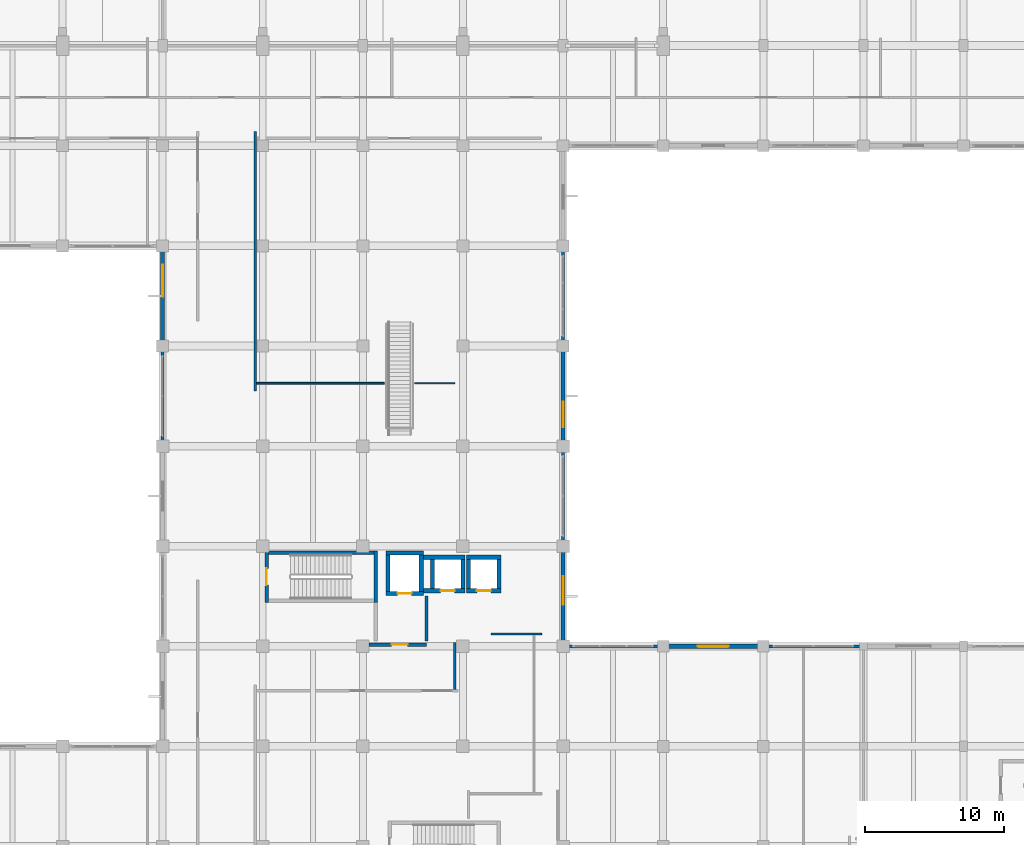
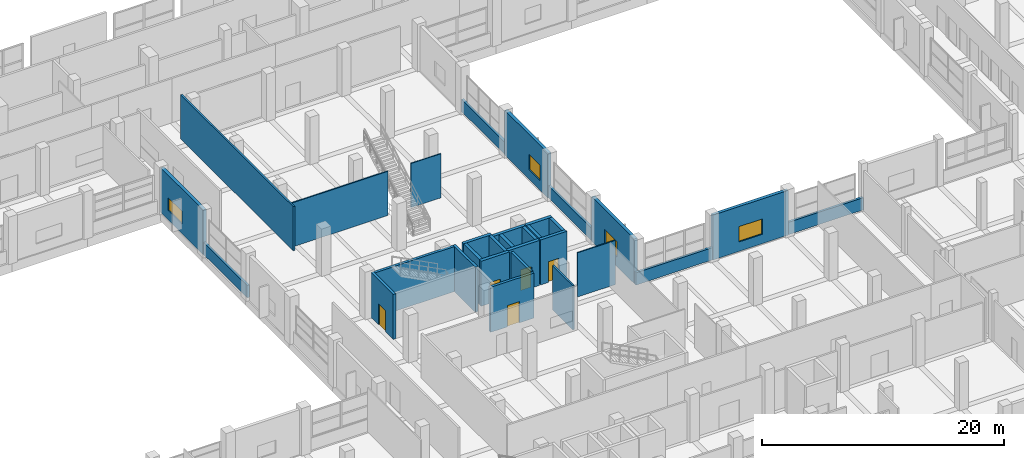
# One storey, part 160 of 181: 31 walls, 5 doors, 4 windows, 9 openings.
"""IFC4 building model written with IfcOpenShell, lengths in metres."""

import ifcopenshell
import ifcopenshell.guid

model = None  # the IFC model being written
_history = None  # IfcOwnerHistory: only IFC2X3 demands one
_inside = {}  # id of a spatial element -> (the spatial element, [elements in it])
_under = {}  # id of a project, library or spatial element -> (it, [spatial elements below it])
_declared = {}  # id of a project -> (the project, [libraries it declares])
_typed = {}  # id of a type object -> (the type object, [elements of that type])
_made_of = {}  # id of a material, layer set ... -> (it, [elements and type objects made of it])


def new_model(schema):
    """Start an empty IFC model of exactly this schema.

    Asked for "IFC4X3", IfcOpenShell would pick the latest addendum, in which some entities
    have other attributes; the version numbers below select the first issue.
    IFC2X3 requires an IfcOwnerHistory on every rooted entity: one is made here for all.
    """
    global model, _history
    if schema == "IFC4X3":
        model = ifcopenshell.file(schema_version=(4, 3, 0, 0))
    else:
        model = ifcopenshell.file(schema=schema)
    _inside.clear()
    _under.clear()
    _declared.clear()
    _typed.clear()
    _made_of.clear()
    _history = None
    if model.schema == "IFC2X3":
        org = make("IfcOrganization", Name="unknown")
        user = make(
            "IfcPersonAndOrganization",
            ThePerson=make("IfcPerson", FamilyName="unknown"),
            TheOrganization=org,
        )
        app = make(
            "IfcApplication",
            ApplicationDeveloper=org,
            Version="unknown",
            ApplicationFullName="unknown",
            ApplicationIdentifier="unknown",
        )
        _history = make(
            "IfcOwnerHistory",
            OwningUser=user,
            OwningApplication=app,
            ChangeAction="ADDED",
            CreationDate=0,
        )
    return model


def make(cls, **values):
    """One entity of the class cls with the attributes given. An attribute that is None is left unset."""
    return model.create_entity(
        cls, **{name: value for name, value in values.items() if value is not None}
    )


def rooted(cls, **values):
    """An entity with a GlobalId (a new one), such as an element, a storey or a relation."""
    return make(cls, GlobalId=ifcopenshell.guid.new(), OwnerHistory=_history, **values)


def si_unit(unit_type, name, prefix=None):
    """IfcSIUnit, for example si_unit("LENGTHUNIT", "METRE", prefix="MILLI")."""
    return make("IfcSIUnit", UnitType=unit_type, Prefix=prefix, Name=name)


def assignment(units):
    """IfcUnitAssignment: the units of a project."""
    return None if units is None else make("IfcUnitAssignment", Units=units)


def point(xyz):
    """IfcCartesianPoint."""
    return None if xyz is None else make("IfcCartesianPoint", Coordinates=xyz)


def direction(xyz):
    """IfcDirection."""
    return None if xyz is None else make("IfcDirection", DirectionRatios=xyz)


def frame(location, z_axis=None, x_axis=None):
    """IfcAxis2Placement3D, a coordinate frame: its origin and axes. An axis left out is left unset."""
    return make(
        "IfcAxis2Placement3D",
        Location=point(location),
        Axis=direction(z_axis),
        RefDirection=direction(x_axis),
    )


def frame_2d(location, x_axis=None):
    """IfcAxis2Placement2D, a coordinate frame in the plane: its origin and x axis."""
    return make(
        "IfcAxis2Placement2D", Location=point(location), RefDirection=direction(x_axis)
    )


def origin():
    """The frame at (0, 0, 0) with its axes left unset."""
    return frame((0.0, 0.0, 0.0))


def place(relative_to, where):
    """IfcLocalPlacement: puts the frame where relative to a parent placement (None: the world)."""
    return make(
        "IfcLocalPlacement", PlacementRelTo=relative_to, RelativePlacement=where
    )


def context(
    kind, dimensions, precision=None, world=None, true_north=None, identifier=None
):
    """IfcGeometricRepresentationContext, for example the 3D "Model" context."""
    return make(
        "IfcGeometricRepresentationContext",
        ContextIdentifier=identifier,
        ContextType=kind,
        CoordinateSpaceDimension=dimensions,
        Precision=precision,
        WorldCoordinateSystem=world,
        TrueNorth=true_north,
    )


def subcontext(parent, identifier, kind, view, scale=None):
    """IfcGeometricRepresentationSubContext, for example "Body" below "Model"."""
    return make(
        "IfcGeometricRepresentationSubContext",
        ContextIdentifier=identifier,
        ContextType=kind,
        ParentContext=parent,
        TargetScale=scale,
        TargetView=view,
    )


def project(units=None, contexts=None):
    """IfcProject with its units and contexts."""
    return rooted(
        "IfcProject",
        Name="project",
        RepresentationContexts=contexts,
        UnitsInContext=assignment(units),
    )


def spatial(cls, under=None, at=None, **own):
    """A site, building, storey or space (cls), placed at a placement, below another one or the project."""
    s = rooted(cls, ObjectPlacement=at, **own)
    if under is not None:
        _under.setdefault(under.id(), (under, []))[1].append(s)
    return s


def profile(cls, at=None, kind="AREA", **sizes):
    """A parametric profile (cls). Its sizes go by their IFC names, for example OverallWidth=200.0."""
    return make(cls, ProfileType=kind, Position=at, **sizes)


def rectangle(**sizes):
    """IfcRectangleProfileDef."""
    return profile("IfcRectangleProfileDef", **sizes)


def extrude(swept, where, along, depth):
    """IfcExtrudedAreaSolid: the profile swept, set in the frame where, extruded along a direction by depth."""
    return make(
        "IfcExtrudedAreaSolid",
        SweptArea=swept,
        Position=where,
        ExtrudedDirection=direction(along),
        Depth=depth,
    )


def shape(context_of_items, identifier, shape_type, items):
    """IfcShapeRepresentation: the items that make up one representation, for example the "Body"."""
    return make(
        "IfcShapeRepresentation",
        ContextOfItems=context_of_items,
        RepresentationIdentifier=identifier,
        RepresentationType=shape_type,
        Items=items,
    )


def material(Name=None, Category=None):
    """IfcMaterial."""
    return make("IfcMaterial", Name=Name, Category=Category)


def layer(
    of_material, thickness, ventilated=None, Name=None, Category=None, Priority=None
):
    """IfcMaterialLayer: one layer of a wall or slab, of a material (None: an air gap)."""
    return make(
        "IfcMaterialLayer",
        Material=of_material,
        LayerThickness=thickness,
        IsVentilated=ventilated,
        Name=Name,
        Category=Category,
        Priority=Priority,
    )


def layer_set(layers, Name=None):
    """IfcMaterialLayerSet."""
    return make("IfcMaterialLayerSet", MaterialLayers=layers, LayerSetName=Name)


def made_of(thing, what):
    """Note that an element or type object is made of a material, layer set ...; save() writes the relation."""
    if what is not None:
        _made_of.setdefault(what.id(), (what, []))[1].append(thing)
    return thing


def type_object(cls, material=None, **own):
    """A type object (cls), such as IfcWallType, which elements share."""
    return made_of(rooted(cls, **own), material)


def element(
    cls,
    number,
    at=None,
    inside=None,
    cuts=None,
    type_object=None,
    material=None,
    context=None,
    identifier="Body",
    shape_type=None,
    held_by="IfcProductDefinitionShape",
    body=None,
    shapes=None,
    **own,
):
    """One element of the class cls, such as IfcWall. Its Tag is "e" and its number.

    at: its placement. inside: the storey or other place that contains it. cuts: it is an
    opening in that element (IfcRelVoidsElement). A single representation is given by context,
    identifier, shape_type and body (its items); several are given by shapes. held_by: the class
    of the entity that holds the representations. save() writes the other relations.
    """
    e = rooted(cls, Tag="e%d" % number, ObjectPlacement=at, **own)
    if body is not None:
        shapes = [shape(context, identifier, shape_type, body)]
    if shapes is not None:
        e.Representation = make(held_by, Representations=shapes)
    if inside is not None:
        _inside.setdefault(inside.id(), (inside, []))[1].append(e)
    if cuts is not None:
        rooted(
            "IfcRelVoidsElement", RelatingBuildingElement=cuts, RelatedOpeningElement=e
        )
    if type_object is not None:
        _typed.setdefault(type_object.id(), (type_object, []))[1].append(e)
    return made_of(e, material)


def fill(opening, filler):
    """IfcRelFillsElement: the door or window that sits in an opening."""
    return rooted(
        "IfcRelFillsElement",
        RelatingOpeningElement=opening,
        RelatedBuildingElement=filler,
    )


def aggregate(whole, parts):
    """IfcRelAggregates: a whole, such as a stair, and the parts it consists of."""
    return rooted("IfcRelAggregates", RelatingObject=whole, RelatedObjects=parts)


def save(model, path):
    """Write the relations noted so far, then the file.

    IfcRelAggregates (storeys below a building ...), IfcRelContainedInSpatialStructure (elements
    in a storey), IfcRelDefinesByType, IfcRelAssociatesMaterial and IfcRelDeclares: one each for
    every whole, place, type object, material and project.
    """
    for whole, parts in _under.values():
        aggregate(whole, parts)
    for where, things in _inside.values():
        rooted(
            "IfcRelContainedInSpatialStructure",
            RelatedElements=things,
            RelatingStructure=where,
        )
    for kind, things in _typed.values():
        rooted("IfcRelDefinesByType", RelatedObjects=things, RelatingType=kind)
    for what, things in _made_of.values():
        rooted("IfcRelAssociatesMaterial", RelatedObjects=things, RelatingMaterial=what)
    for by, libraries in _declared.values():
        rooted("IfcRelDeclares", RelatingContext=by, RelatedDefinitions=libraries)
    model.write(path)


model = new_model("IFC4")

# Units and contexts
model_context = context("Model", 3, precision=1e-05, world=origin(), true_north=direction((0.0, 1.0)))
body_context = subcontext(model_context, "Body", "Model", "MODEL_VIEW")
ifc_project = project(units=[si_unit("LENGTHUNIT", "METRE"), si_unit("AREAUNIT", "SQUARE_METRE"), si_unit("VOLUMEUNIT", "CUBIC_METRE"), si_unit("PLANEANGLEUNIT", "RADIAN"), si_unit("MASSUNIT", "GRAM", prefix="KILO")], contexts=[model_context])

# Site, building, storey
site_placement = place(None, origin())
site = spatial("IfcSite", under=ifc_project, at=site_placement, CompositionType="ELEMENT")
building_placement = place(site_placement, origin())
building = spatial("IfcBuilding", under=site, at=building_placement, Name="Seraya Terrace Polytechnic", CompositionType="ELEMENT")
storey_placement = place(building_placement, frame((0.0, 0.0, 4.800048828125)))
storey = spatial("IfcBuildingStorey", under=building, at=storey_placement, Name="L01", CompositionType="ELEMENT", Elevation=4.800048828125)

# Wall, opening, window
ifc_material_1 = material(Name="Concrete C40/50", Category="concrete")
ifc_layer_1 = layer(ifc_material_1, 0.300048828125, Name="EW-01")
ifc_layer_set_1 = layer_set([ifc_layer_1], Name="Concrete C40/50")
wall_type_1 = type_object("IfcWallType", Name="EW-01", PredefinedType="SOLIDWALL", material=ifc_layer_set_1)
wall_1_placement = place(storey_placement, frame((79.199951171875, 57.60009765625, 0.0), z_axis=(0.0, 0.0, 1.0), x_axis=(0.0, 1.0, 0.0)))
wall_1 = element("IfcWall", 1, at=wall_1_placement, inside=storey, type_object=wall_type_1, Name="Exterior structural wall EW-01 L01", PredefinedType="SOLIDWALL", context=body_context, shape_type="SweptSolid", body=[
    extrude(rectangle(XDim=7.0478515625, YDim=0.300048828125, at=frame_2d((3.52392578125, 0.0))), origin(), (0.0, 0.0, 1.0), 4.52001953125),
])
opening_1_placement = place(wall_1_placement, frame((3.54150390625, 0.0, 0.949951171875)))
opening_1 = element("IfcOpeningElement", 2, at=opening_1_placement, cuts=wall_1, Name="Opening WN-09", PredefinedType="OPENING", context=body_context, shape_type="SweptSolid", body=[
    extrude(rectangle(XDim=2.300048828125, YDim=1.300048828125, at=frame_2d((1.14990234375, 0.64990234375))), frame((0.0, 0.162109375, 0.0), z_axis=(0.0, -1.0, 0.0), x_axis=(1.0, 0.0, 0.0)), (0.0, 0.0, 1.0), 0.323974609375),
])
ifc_material_2 = material(Name="Laminated solar-control Low-E double glazing", Category="glass")
window_type_1 = type_object("IfcWindowType", Name="WN-09", PartitioningType="SINGLE_PANEL", PredefinedType="WINDOW", material=ifc_material_2)
window_1_placement = place(opening_1_placement, origin())
window_1 = element("IfcWindow", 3, at=window_1_placement, inside=storey, type_object=window_type_1, Name="Exterior window WN-09 L01", OverallHeight=1.300048828125, OverallWidth=2.300048828125, PartitioningType="SINGLE_PANEL", PredefinedType="WINDOW", context=body_context, shape_type="SweptSolid", body=[
    extrude(rectangle(XDim=2.300048828125, YDim=1.300048828125, at=frame_2d((1.14990234375, 0.64990234375))), frame((0.0, 0.030029296875, 0.0), z_axis=(0.0, -1.0, 0.0), x_axis=(1.0, 0.0, 0.0)), (0.0, 0.0, 1.0), 0.06005859375),
])
fill(opening_1, window_1)

wall_2_placement = place(storey_placement, frame((108.0, 57.60009765625, 0.0), z_axis=(0.0, 0.0, 1.0), x_axis=(0.0, -1.0, 0.0)))
wall_2 = element("IfcWall", 4, at=wall_2_placement, inside=storey, type_object=wall_type_1, Name="Exterior structural wall EW-01 L01", PredefinedType="SOLIDWALL", context=body_context, shape_type="SweptSolid", body=[
    extrude(rectangle(XDim=7.2001953125, YDim=0.300048828125, at=frame_2d((3.60009765625, 0.0))), origin(), (0.0, 0.0, 1.0), 4.52001953125),
])
opening_2_placement = place(wall_2_placement, frame((4.0048828125, 0.0, 0.949951171875)))
opening_2 = element("IfcOpeningElement", 5, at=opening_2_placement, cuts=wall_2, Name="Opening WN-18", PredefinedType="OPENING", context=body_context, shape_type="SweptSolid", body=[
    extrude(rectangle(XDim=1.85009765625, YDim=1.550048828125, at=frame_2d((0.925048828125, 0.77490234375))), frame((0.0, 0.162109375, 0.0), z_axis=(0.0, -1.0, 0.0), x_axis=(1.0, 0.0, 0.0)), (0.0, 0.0, 1.0), 0.323974609375),
])
window_type_2 = type_object("IfcWindowType", Name="WN-18", PartitioningType="SINGLE_PANEL", PredefinedType="WINDOW", material=ifc_material_2)
window_2_placement = place(opening_2_placement, origin())
window_2 = element("IfcWindow", 6, at=window_2_placement, inside=storey, type_object=window_type_2, Name="Exterior window WN-18 L01", OverallHeight=1.550048828125, OverallWidth=1.85009765625, PartitioningType="SINGLE_PANEL", PredefinedType="WINDOW", context=body_context, shape_type="SweptSolid", body=[
    extrude(rectangle(XDim=1.85009765625, YDim=1.550048828125, at=frame_2d((0.925048828125, 0.77490234375))), frame((0.0, 0.030029296875, 0.0), z_axis=(0.0, -1.0, 0.0), x_axis=(1.0, 0.0, 0.0)), (0.0, 0.0, 1.0), 0.06005859375),
])
fill(opening_2, window_2)

wall_3_placement = place(storey_placement, frame((108.0, 43.199951171875, 0.0), z_axis=(0.0, 0.0, 1.0), x_axis=(0.0, -1.0, 0.0)))
wall_3 = element("IfcWall", 7, at=wall_3_placement, inside=storey, type_object=wall_type_1, Name="Exterior structural wall EW-01 L01", PredefinedType="SOLIDWALL", context=body_context, shape_type="SweptSolid", body=[
    extrude(rectangle(XDim=7.0478515625, YDim=0.300048828125, at=frame_2d((3.52392578125, 0.0))), origin(), (0.0, 0.0, 1.0), 4.52001953125),
])
opening_3_placement = place(wall_3_placement, frame((2.14501953125, 0.0, 0.949951171875)))
opening_3 = element("IfcOpeningElement", 8, at=opening_3_placement, cuts=wall_3, Name="Opening WN-19", PredefinedType="OPENING", context=body_context, shape_type="SweptSolid", body=[
    extrude(rectangle(XDim=2.050048828125, YDim=1.550048828125, at=frame_2d((1.02490234375, 0.77490234375))), frame((0.0, 0.162109375, 0.0), z_axis=(0.0, -1.0, 0.0), x_axis=(1.0, 0.0, 0.0)), (0.0, 0.0, 1.0), 0.323974609375),
])
window_type_3 = type_object("IfcWindowType", Name="WN-19", PartitioningType="SINGLE_PANEL", PredefinedType="WINDOW", material=ifc_material_2)
window_3_placement = place(opening_3_placement, origin())
window_3 = element("IfcWindow", 9, at=window_3_placement, inside=storey, type_object=window_type_3, Name="Exterior window WN-19 L01", OverallHeight=1.550048828125, OverallWidth=2.050048828125, PartitioningType="SINGLE_PANEL", PredefinedType="WINDOW", context=body_context, shape_type="SweptSolid", body=[
    extrude(rectangle(XDim=2.050048828125, YDim=1.550048828125, at=frame_2d((1.02490234375, 0.77490234375))), frame((0.0, 0.030029296875, 0.0), z_axis=(0.0, -1.0, 0.0), x_axis=(1.0, 0.0, 0.0)), (0.0, 0.0, 1.0), 0.06005859375),
])
fill(opening_3, window_3)

wall_4_placement = place(storey_placement, frame((115.199951171875, 36.0, 0.0), z_axis=(0.0, 0.0, 1.0), x_axis=(1.0, 0.0, 0.0)))
wall_4 = element("IfcWall", 10, at=wall_4_placement, inside=storey, type_object=wall_type_1, Name="Exterior structural wall EW-01 L01", PredefinedType="SOLIDWALL", context=body_context, shape_type="SweptSolid", body=[
    extrude(rectangle(XDim=7.199951171875, YDim=0.300048828125, at=frame_2d((3.60009765625, 0.0))), origin(), (0.0, 0.0, 1.0), 4.52001953125),
])
opening_4_placement = place(wall_4_placement, frame((2.47509765625, 0.0, 0.949951171875)))
opening_4 = element("IfcOpeningElement", 11, at=opening_4_placement, cuts=wall_4, Name="Opening WN-20", PredefinedType="OPENING", context=body_context, shape_type="SweptSolid", body=[
    extrude(rectangle(XDim=2.25, YDim=1.550048828125, at=frame_2d((1.125, 0.77490234375))), frame((0.0, 0.162109375, 0.0), z_axis=(0.0, -1.0, 0.0), x_axis=(1.0, 0.0, 0.0)), (0.0, 0.0, 1.0), 0.323974609375),
])
window_type_4 = type_object("IfcWindowType", Name="WN-20", PartitioningType="SINGLE_PANEL", PredefinedType="WINDOW", material=ifc_material_2)
window_4_placement = place(opening_4_placement, origin())
window_4 = element("IfcWindow", 12, at=window_4_placement, inside=storey, type_object=window_type_4, Name="Exterior window WN-20 L01", OverallHeight=1.550048828125, OverallWidth=2.25, PartitioningType="SINGLE_PANEL", PredefinedType="WINDOW", context=body_context, shape_type="SweptSolid", body=[
    extrude(rectangle(XDim=2.25, YDim=1.550048828125, at=frame_2d((1.125, 0.77490234375))), frame((0.0, 0.030029296875, 0.0), z_axis=(0.0, -1.0, 0.0), x_axis=(1.0, 0.0, 0.0)), (0.0, 0.0, 1.0), 0.06005859375),
])
fill(opening_4, window_4)

# Walls
ifc_material_3 = material(Name="Precast concrete C40/50", Category="concrete")
ifc_layer_2 = layer(ifc_material_3, 0.219970703125, Name="EW-05")
ifc_layer_set_2 = layer_set([ifc_layer_2], Name="Precast concrete C40/50")
wall_type_2 = type_object("IfcWallType", Name="EW-05", PredefinedType="SOLIDWALL", material=ifc_layer_set_2)
wall_5_placement = place(storey_placement, frame((79.199951171875, 50.39990234375, 0.0), z_axis=(0.0, 0.0, 1.0), x_axis=(0.0, 1.0, 0.0)))
element("IfcWall", 13, at=wall_5_placement, inside=storey, type_object=wall_type_2, Name="Precast spandrel wall L01", PredefinedType="SOLIDWALL", context=body_context, shape_type="SweptSolid", body=[
    extrude(rectangle(XDim=7.2001953125, YDim=0.219970703125, at=frame_2d((3.60009765625, 0.0))), origin(), (0.0, 0.0, 1.0), 1.239990234375),
])
for number, where, z_axis, x_axis, name in (
    (14, (108.0, 64.800048828125, 0.0), (0.0, 0.0, 1.0), (0.0, -1.0, 0.0), "Precast spandrel wall L01"),
    (15, (108.0, 50.39990234375, 0.0), (0.0, 0.0, 1.0), (0.0, -1.0, 0.0), "Precast spandrel wall L01"),
):
    element("IfcWall", number, at=place(storey_placement, frame(where, z_axis=z_axis, x_axis=x_axis)), inside=storey, type_object=wall_type_2, Name=name, PredefinedType="SOLIDWALL", context=body_context, shape_type="SweptSolid", body=[
        extrude(rectangle(XDim=7.199951171875, YDim=0.219970703125, at=frame_2d((3.60009765625, 0.0))), origin(), (0.0, 0.0, 1.0), 1.239990234375),
    ])
wall_6_placement = place(storey_placement, frame((107.85009765625, 36.0, 0.0), z_axis=(0.0, 0.0, 1.0), x_axis=(1.0, 0.0, 0.0)))
element("IfcWall", 16, at=wall_6_placement, inside=storey, type_object=wall_type_2, Name="Precast spandrel wall L01", PredefinedType="SOLIDWALL", context=body_context, shape_type="SweptSolid", body=[
    extrude(rectangle(XDim=7.349853515625, YDim=0.219970703125, at=frame_2d((3.6748046875, 0.0))), origin(), (0.0, 0.0, 1.0), 1.239990234375),
])
wall_7_placement = place(storey_placement, frame((122.39990234375, 36.0, 0.0), z_axis=(0.0, 0.0, 1.0), x_axis=(1.0, 0.0, 0.0)))
element("IfcWall", 17, at=wall_7_placement, inside=storey, type_object=wall_type_2, Name="Precast spandrel wall L01", PredefinedType="SOLIDWALL", context=body_context, shape_type="SweptSolid", body=[
    extrude(rectangle(XDim=7.2001953125, YDim=0.219970703125, at=frame_2d((3.60009765625, 0.0))), origin(), (0.0, 0.0, 1.0), 1.239990234375),
])
ifc_material_4 = material(Name="Autoclaved aerated concrete blockwork", Category="masonry")
ifc_layer_3 = layer(ifc_material_4, 0.169921875, Name="PT-02")
ifc_layer_set_3 = layer_set([ifc_layer_3], Name="Autoclaved aerated concrete blockwork")
wall_type_3 = type_object("IfcWallType", Name="PT-02", PredefinedType="PARTITIONING", material=ifc_layer_set_3)
wall_8_placement = place(storey_placement, frame((85.8701171875, 54.360107421875, 0.0), z_axis=(0.0, 0.0, 1.0), x_axis=(0.0, 1.0, 0.0)))
element("IfcWall", 18, at=wall_8_placement, inside=storey, type_object=wall_type_3, Name="Internal partition PT-02 L01", PredefinedType="PARTITIONING", context=body_context, shape_type="SweptSolid", body=[
    extrude(rectangle(XDim=18.659912109375, YDim=0.169921875, at=frame_2d((9.330078125, 0.0))), origin(), (0.0, 0.0, 1.0), 4.4599609375),
])
wall_9_placement = place(storey_placement, frame((100.199951171875, 32.89990234375, 0.0), z_axis=(0.0, 0.0, 1.0), x_axis=(0.0, 1.0, 0.0)))
element("IfcWall", 19, at=wall_9_placement, inside=storey, type_object=wall_type_3, Name="Internal partition PT-02 L01", PredefinedType="PARTITIONING", context=body_context, shape_type="SweptSolid", body=[
    extrude(rectangle(XDim=3.39013671875, YDim=0.169921875, at=frame_2d((1.695068359375, 0.0))), origin(), (0.0, 0.0, 1.0), 4.4599609375),
])
ifc_layer_4 = layer(ifc_material_4, 0.1201171875, Name="PT-05")
ifc_layer_set_4 = layer_set([ifc_layer_4], Name="Autoclaved aerated concrete blockwork")
wall_type_4 = type_object("IfcWallType", Name="PT-05", PredefinedType="PARTITIONING", material=ifc_layer_set_4)
wall_10_placement = place(storey_placement, frame((102.830078125, 36.8798828125, 0.0), z_axis=(0.0, 0.0, 1.0), x_axis=(1.0, 0.0, 0.0)))
element("IfcWall", 20, at=wall_10_placement, inside=storey, type_object=wall_type_4, Name="Internal partition PT-05 L01", PredefinedType="PARTITIONING", context=body_context, shape_type="SweptSolid", body=[
    extrude(rectangle(XDim=3.634033203125, YDim=0.1201171875, at=frame_2d((1.81689453125, 0.0))), origin(), (0.0, 0.0, 1.0), 4.4599609375),
])
wall_11_placement = place(storey_placement, frame((85.969970703125, 54.919921875, 0.0), z_axis=(0.0, 0.0, 1.0), x_axis=(1.0, 0.0, 0.0)))
element("IfcWall", 21, at=wall_11_placement, inside=storey, type_object=wall_type_4, Name="Internal partition PT-05 L01", PredefinedType="PARTITIONING", context=body_context, shape_type="SweptSolid", body=[
    extrude(rectangle(XDim=9.179931640625, YDim=0.1201171875, at=frame_2d((4.58984375, 0.0))), origin(), (0.0, 0.0, 1.0), 4.4599609375),
])
ifc_layer_5 = layer(ifc_material_4, 0.10009765625, Name="PT-06")
ifc_layer_set_5 = layer_set([ifc_layer_5], Name="Autoclaved aerated concrete blockwork")
wall_type_5 = type_object("IfcWallType", Name="PT-06", PredefinedType="PARTITIONING", material=ifc_layer_set_5)
wall_12_placement = place(storey_placement, frame((97.330078125, 54.919921875, 0.0), z_axis=(0.0, 0.0, 1.0), x_axis=(1.0, 0.0, 0.0)))
element("IfcWall", 22, at=wall_12_placement, inside=storey, type_object=wall_type_5, Name="Internal partition PT-06 L01", PredefinedType="PARTITIONING", context=body_context, shape_type="SweptSolid", body=[
    extrude(rectangle(XDim=2.869873046875, YDim=0.10009765625, at=frame_2d((1.43505859375, 0.0))), origin(), (0.0, 0.0, 1.0), 4.4599609375),
])

# Wall, opening, door
ifc_layer_6 = layer(ifc_material_1, 0.300048828125, Name="SW-01")
ifc_layer_set_6 = layer_set([ifc_layer_6], Name="Concrete C40/50")
wall_type_6 = type_object("IfcWallType", Name="SW-01", PredefinedType="SHEAR", material=ifc_layer_set_6)
wall_13_placement = place(storey_placement, frame((95.25, 39.800048828125, 0.0), z_axis=(0.0, 0.0, 1.0), x_axis=(1.0, 0.0, 0.0)))
wall_13 = element("IfcWall", 23, at=wall_13_placement, inside=storey, type_object=wall_type_6, Name="Lift shaft FL-02 South wall L01", PredefinedType="SHEAR", context=body_context, shape_type="SweptSolid", body=[
    extrude(rectangle(XDim=2.699951171875, YDim=0.300048828125, at=frame_2d((1.35009765625, 0.0))), origin(), (0.0, 0.0, 1.0), 4.550048828125),
])
opening_5_placement = place(wall_13_placement, frame((0.85009765625, 0.0, 0.0)))
opening_5 = element("IfcOpeningElement", 24, at=opening_5_placement, cuts=wall_13, Name="Opening LD-01", PredefinedType="OPENING", context=body_context, shape_type="SweptSolid", body=[
    extrude(rectangle(XDim=1.0, YDim=2.10009765625, at=frame_2d((0.5, 1.050048828125))), frame((0.0, 0.162109375, 0.0), z_axis=(0.0, -1.0, 0.0), x_axis=(1.0, 0.0, 0.0)), (0.0, 0.0, 1.0), 0.323974609375),
])
ifc_material_5 = material(Name="Steel S355J2", Category="steel")
door_type_1 = type_object("IfcDoorType", Name="LD-01", OperationType="SLIDING_TO_LEFT", PredefinedType="DOOR", material=ifc_material_5)
door_1_placement = place(opening_5_placement, frame((1.0, 0.0, 0.0), z_axis=(0.0, 0.0, 1.0), x_axis=(-1.0, 0.0, 0.0)))
door_1 = element("IfcDoor", 25, at=door_1_placement, inside=storey, type_object=door_type_1, Name="Door LD-01 LD-FL-02-L01 in WL-SHF-FL-02-L01-S", OperationType="SLIDING_TO_RIGHT", OverallHeight=2.10009765625, OverallWidth=1.0, PredefinedType="DOOR", context=body_context, shape_type="SweptSolid", body=[
    extrude(rectangle(XDim=1.0, YDim=2.10009765625, at=frame_2d((0.5, 1.050048828125))), frame((0.0, 0.02490234375, 0.0), z_axis=(0.0, -1.0, 0.0), x_axis=(1.0, 0.0, 0.0)), (0.0, 0.0, 1.0), 0.050048828125),
])
fill(opening_5, door_1)

# Walls
wall_14_placement = place(storey_placement, frame((95.25, 42.699951171875, 0.0), z_axis=(0.0, 0.0, 1.0), x_axis=(1.0, 0.0, 0.0)))
element("IfcWall", 26, at=wall_14_placement, inside=storey, type_object=wall_type_6, Name="Lift shaft FL-02 North wall L01", PredefinedType="SHEAR", context=body_context, shape_type="SweptSolid", body=[
    extrude(rectangle(XDim=2.699951171875, YDim=0.300048828125, at=frame_2d((1.35009765625, 0.0))), origin(), (0.0, 0.0, 1.0), 4.550048828125),
])
for number, where, z_axis, x_axis, name in (
    (27, (95.39990234375, 39.949951171875, 0.0), (0.0, 0.0, 1.0), (0.0, 1.0, 0.0), "Lift shaft FL-02 West wall L01"),
    (28, (97.800048828125, 39.949951171875, 0.0), (0.0, 0.0, 1.0), (0.0, 1.0, 0.0), "Lift shaft FL-02 East wall L01"),
):
    element("IfcWall", number, at=place(storey_placement, frame(where, z_axis=z_axis, x_axis=x_axis)), inside=storey, type_object=wall_type_6, Name=name, PredefinedType="SHEAR", context=body_context, shape_type="SweptSolid", body=[
        extrude(rectangle(XDim=2.60009765625, YDim=0.300048828125, at=frame_2d((1.300048828125, 0.0))), origin(), (0.0, 0.0, 1.0), 4.550048828125),
    ])

# Wall, opening, door
wall_15_placement = place(storey_placement, frame((97.949951171875, 40.0, 0.0), z_axis=(0.0, 0.0, 1.0), x_axis=(1.0, 0.0, 0.0)))
wall_15 = element("IfcWall", 29, at=wall_15_placement, inside=storey, type_object=wall_type_6, Name="Lift shaft PL-03 South wall L01", PredefinedType="SHEAR", context=body_context, shape_type="SweptSolid", body=[
    extrude(rectangle(XDim=3.0, YDim=0.300048828125, at=frame_2d((1.5, 0.0))), origin(), (0.0, 0.0, 1.0), 4.550048828125),
])
opening_6_placement = place(wall_15_placement, frame((1.25, 0.0, 0.0)))
opening_6 = element("IfcOpeningElement", 30, at=opening_6_placement, cuts=wall_15, Name="Opening LD-01", PredefinedType="OPENING", context=body_context, shape_type="SweptSolid", body=[
    extrude(rectangle(XDim=1.0, YDim=2.10009765625, at=frame_2d((0.5, 1.050048828125))), frame((0.0, 0.162109375, 0.0), z_axis=(0.0, -1.0, 0.0), x_axis=(1.0, 0.0, 0.0)), (0.0, 0.0, 1.0), 0.323974609375),
])
door_2_placement = place(opening_6_placement, frame((1.0, 0.0, 0.0), z_axis=(0.0, 0.0, 1.0), x_axis=(-1.0, 0.0, 0.0)))
door_2 = element("IfcDoor", 31, at=door_2_placement, inside=storey, type_object=door_type_1, Name="Door LD-01 LD-PL-03-L01 in WL-SHF-PL-03-L01-S", OperationType="SLIDING_TO_LEFT", OverallHeight=2.10009765625, OverallWidth=1.0, PredefinedType="DOOR", context=body_context, shape_type="SweptSolid", body=[
    extrude(rectangle(XDim=1.0, YDim=2.10009765625, at=frame_2d((0.5, 1.050048828125))), frame((0.0, 0.02490234375, 0.0), z_axis=(0.0, -1.0, 0.0), x_axis=(1.0, 0.0, 0.0)), (0.0, 0.0, 1.0), 0.050048828125),
])
fill(opening_6, door_2)

# Walls
wall_16_placement = place(storey_placement, frame((97.949951171875, 42.39990234375, 0.0), z_axis=(0.0, 0.0, 1.0), x_axis=(1.0, 0.0, 0.0)))
element("IfcWall", 32, at=wall_16_placement, inside=storey, type_object=wall_type_6, Name="Lift shaft PL-03 North wall L01", PredefinedType="SHEAR", context=body_context, shape_type="SweptSolid", body=[
    extrude(rectangle(XDim=3.0, YDim=0.300048828125, at=frame_2d((1.5, 0.0))), origin(), (0.0, 0.0, 1.0), 4.550048828125),
])
for number, where, z_axis, x_axis, name in (
    (33, (98.60009765625, 40.14990234375, 0.0), (0.0, 0.0, 1.0), (0.0, 1.0, 0.0), "Lift shaft PL-03 West wall L01"),
    (34, (100.800048828125, 40.14990234375, 0.0), (0.0, 0.0, 1.0), (0.0, 1.0, 0.0), "Lift shaft PL-03 East wall L01"),
):
    element("IfcWall", number, at=place(storey_placement, frame(where, z_axis=z_axis, x_axis=x_axis)), inside=storey, type_object=wall_type_6, Name=name, PredefinedType="SHEAR", context=body_context, shape_type="SweptSolid", body=[
        extrude(rectangle(XDim=2.10009765625, YDim=0.300048828125, at=frame_2d((1.050048828125, 0.0))), origin(), (0.0, 0.0, 1.0), 4.550048828125),
    ])

# Wall, opening, door
wall_17_placement = place(storey_placement, frame((101.050048828125, 40.0, 0.0), z_axis=(0.0, 0.0, 1.0), x_axis=(1.0, 0.0, 0.0)))
wall_17 = element("IfcWall", 35, at=wall_17_placement, inside=storey, type_object=wall_type_6, Name="Lift shaft PL-04 South wall L01", PredefinedType="SHEAR", context=body_context, shape_type="SweptSolid", body=[
    extrude(rectangle(XDim=2.5, YDim=0.300048828125, at=frame_2d((1.25, 0.0))), origin(), (0.0, 0.0, 1.0), 4.550048828125),
])
opening_7_placement = place(wall_17_placement, frame((0.75, 0.0, 0.0)))
opening_7 = element("IfcOpeningElement", 36, at=opening_7_placement, cuts=wall_17, Name="Opening LD-01", PredefinedType="OPENING", context=body_context, shape_type="SweptSolid", body=[
    extrude(rectangle(XDim=1.0, YDim=2.10009765625, at=frame_2d((0.5, 1.050048828125))), frame((0.0, 0.162109375, 0.0), z_axis=(0.0, -1.0, 0.0), x_axis=(1.0, 0.0, 0.0)), (0.0, 0.0, 1.0), 0.323974609375),
])
door_3_placement = place(opening_7_placement, frame((1.0, 0.0, 0.0), z_axis=(0.0, 0.0, 1.0), x_axis=(-1.0, 0.0, 0.0)))
door_3 = element("IfcDoor", 37, at=door_3_placement, inside=storey, type_object=door_type_1, Name="Door LD-01 LD-PL-04-L01 in WL-SHF-PL-04-L01-S", OperationType="SLIDING_TO_RIGHT", OverallHeight=2.10009765625, OverallWidth=1.0, PredefinedType="DOOR", context=body_context, shape_type="SweptSolid", body=[
    extrude(rectangle(XDim=1.0, YDim=2.10009765625, at=frame_2d((0.5, 1.050048828125))), frame((0.0, 0.02490234375, 0.0), z_axis=(0.0, -1.0, 0.0), x_axis=(1.0, 0.0, 0.0)), (0.0, 0.0, 1.0), 0.050048828125),
])
fill(opening_7, door_3)

# Walls
wall_18_placement = place(storey_placement, frame((101.050048828125, 42.39990234375, 0.0), z_axis=(0.0, 0.0, 1.0), x_axis=(1.0, 0.0, 0.0)))
element("IfcWall", 38, at=wall_18_placement, inside=storey, type_object=wall_type_6, Name="Lift shaft PL-04 North wall L01", PredefinedType="SHEAR", context=body_context, shape_type="SweptSolid", body=[
    extrude(rectangle(XDim=2.5, YDim=0.300048828125, at=frame_2d((1.25, 0.0))), origin(), (0.0, 0.0, 1.0), 4.550048828125),
])
for number, where, z_axis, x_axis, name in (
    (39, (101.199951171875, 40.14990234375, 0.0), (0.0, 0.0, 1.0), (0.0, 1.0, 0.0), "Lift shaft PL-04 West wall L01"),
    (40, (103.39990234375, 40.14990234375, 0.0), (0.0, 0.0, 1.0), (0.0, 1.0, 0.0), "Lift shaft PL-04 East wall L01"),
):
    element("IfcWall", number, at=place(storey_placement, frame(where, z_axis=z_axis, x_axis=x_axis)), inside=storey, type_object=wall_type_6, Name=name, PredefinedType="SHEAR", context=body_context, shape_type="SweptSolid", body=[
        extrude(rectangle(XDim=2.10009765625, YDim=0.300048828125, at=frame_2d((1.050048828125, 0.0))), origin(), (0.0, 0.0, 1.0), 4.550048828125),
    ])

# Wall, opening, door
ifc_layer_7 = layer(ifc_material_1, 0.25, Name="SW-02")
ifc_layer_set_7 = layer_set([ifc_layer_7], Name="Concrete C40/50")
wall_type_7 = type_object("IfcWallType", Name="SW-02", PredefinedType="SHEAR", material=ifc_layer_set_7)
wall_19_placement = place(storey_placement, frame((86.675048828125, 39.14990234375, 0.0), z_axis=(0.0, 0.0, 1.0), x_axis=(0.0, 1.0, 0.0)))
wall_19 = element("IfcWall", 41, at=wall_19_placement, inside=storey, type_object=wall_type_7, Name="Stairwell ST-02 West wall L01", PredefinedType="SHEAR", context=body_context, shape_type="SweptSolid", body=[
    extrude(rectangle(XDim=3.7001953125, YDim=0.25, at=frame_2d((1.85009765625, 0.0))), origin(), (0.0, 0.0, 1.0), 4.550048828125),
])
opening_8_placement = place(wall_19_placement, frame((1.25, 0.0, 0.0)))
opening_8 = element("IfcOpeningElement", 42, at=opening_8_placement, cuts=wall_19, Name="Opening FD-01", PredefinedType="OPENING", context=body_context, shape_type="SweptSolid", body=[
    extrude(rectangle(XDim=1.199951171875, YDim=2.14990234375, at=frame_2d((0.60009765625, 1.074951171875))), frame((0.0, 0.136962890625, 0.0), z_axis=(0.0, -1.0, 0.0), x_axis=(1.0, 0.0, 0.0)), (0.0, 0.0, 1.0), 0.27392578125),
])
door_type_2 = type_object("IfcDoorType", Name="FD-01", OperationType="NOTDEFINED", PredefinedType="DOOR", material=ifc_material_5)
door_4_placement = place(opening_8_placement, frame((1.199951171875, 0.0, 0.0), z_axis=(0.0, 0.0, 1.0), x_axis=(-1.0, 0.0, 0.0)))
door_4 = element("IfcDoor", 43, at=door_4_placement, inside=storey, type_object=door_type_2, Name="Door FD-01 DR-STR-ST-02-L01 in WL-STR-ST-02-L01-W", OperationType="SINGLE_SWING_RIGHT", OverallHeight=2.14990234375, OverallWidth=1.199951171875, PredefinedType="DOOR", context=body_context, shape_type="SweptSolid", body=[
    extrude(rectangle(XDim=1.199951171875, YDim=2.14990234375, at=frame_2d((0.60009765625, 1.074951171875))), frame((0.0, 0.02490234375, 0.0), z_axis=(0.0, -1.0, 0.0), x_axis=(1.0, 0.0, 0.0)), (0.0, 0.0, 1.0), 0.050048828125),
])
fill(opening_8, door_4)

# Walls
wall_20_placement = place(storey_placement, frame((94.52490234375, 39.14990234375, 0.0), z_axis=(0.0, 0.0, 1.0), x_axis=(0.0, 1.0, 0.0)))
element("IfcWall", 44, at=wall_20_placement, inside=storey, type_object=wall_type_7, Name="Stairwell ST-02 East wall L01", PredefinedType="SHEAR", context=body_context, shape_type="SweptSolid", body=[
    extrude(rectangle(XDim=3.7001953125, YDim=0.25, at=frame_2d((1.85009765625, 0.0))), origin(), (0.0, 0.0, 1.0), 4.550048828125),
])
wall_21_placement = place(storey_placement, frame((86.800048828125, 42.72509765625, 0.0), z_axis=(0.0, 0.0, 1.0), x_axis=(1.0, 0.0, 0.0)))
element("IfcWall", 45, at=wall_21_placement, inside=storey, type_object=wall_type_7, Name="Stairwell ST-02 North wall L01", PredefinedType="SHEAR", context=body_context, shape_type="SweptSolid", body=[
    extrude(rectangle(XDim=7.599853515625, YDim=0.25, at=frame_2d((3.7998046875, 0.0))), origin(), (0.0, 0.0, 1.0), 4.550048828125),
])

# Wall, opening, door
wall_22_placement = place(storey_placement, frame((94.050048828125, 36.125, 0.0), z_axis=(0.0, 0.0, 1.0), x_axis=(1.0, 0.0, 0.0)))
wall_22 = element("IfcWall", 46, at=wall_22_placement, inside=storey, type_object=wall_type_7, Name="Firefighting lobby B South wall L01", PredefinedType="SHEAR", context=body_context, shape_type="SweptSolid", body=[
    extrude(rectangle(XDim=4.125, YDim=0.25, at=frame_2d((2.0625, 0.0))), origin(), (0.0, 0.0, 1.0), 4.550048828125),
])
opening_9_placement = place(wall_22_placement, frame((1.625, 0.0, 0.0)))
opening_9 = element("IfcOpeningElement", 47, at=opening_9_placement, cuts=wall_22, Name="Opening FD-02", PredefinedType="OPENING", context=body_context, shape_type="SweptSolid", body=[
    extrude(rectangle(XDim=1.14990234375, YDim=2.14990234375, at=frame_2d((0.574951171875, 1.074951171875))), frame((0.0, 0.136962890625, 0.0), z_axis=(0.0, -1.0, 0.0), x_axis=(1.0, 0.0, 0.0)), (0.0, 0.0, 1.0), 0.27392578125),
])
door_type_3 = type_object("IfcDoorType", Name="FD-02", OperationType="NOTDEFINED", PredefinedType="DOOR", material=ifc_material_5)
door_5_placement = place(opening_9_placement, frame((1.14990234375, 0.0, 0.0), z_axis=(0.0, 0.0, 1.0), x_axis=(-1.0, 0.0, 0.0)))
door_5 = element("IfcDoor", 48, at=door_5_placement, inside=storey, type_object=door_type_3, Name="Door FD-02 DR-FFL-CORE-B-L01 in WL-FFL-CORE-B-L01-S", OperationType="SINGLE_SWING_LEFT", OverallHeight=2.14990234375, OverallWidth=1.14990234375, PredefinedType="DOOR", context=body_context, shape_type="SweptSolid", body=[
    extrude(rectangle(XDim=1.14990234375, YDim=2.14990234375, at=frame_2d((0.574951171875, 1.074951171875))), frame((0.0, 0.02490234375, 0.0), z_axis=(0.0, -1.0, 0.0), x_axis=(1.0, 0.0, 0.0)), (0.0, 0.0, 1.0), 0.050048828125),
])
fill(opening_9, door_5)

# Wall
wall_23_placement = place(storey_placement, frame((98.175048828125, 36.375, 0.0), z_axis=(0.0, 0.0, 1.0), x_axis=(0.0, 1.0, 0.0)))
element("IfcWall", 49, at=wall_23_placement, inside=storey, type_object=wall_type_7, Name="Firefighting lobby B East wall L01", PredefinedType="SHEAR", context=body_context, shape_type="SweptSolid", body=[
    extrude(rectangle(XDim=3.22509765625, YDim=0.25, at=frame_2d((1.612548828125, 0.0))), origin(), (0.0, 0.0, 1.0), 4.550048828125),
])

save(model, "model.ifc")
